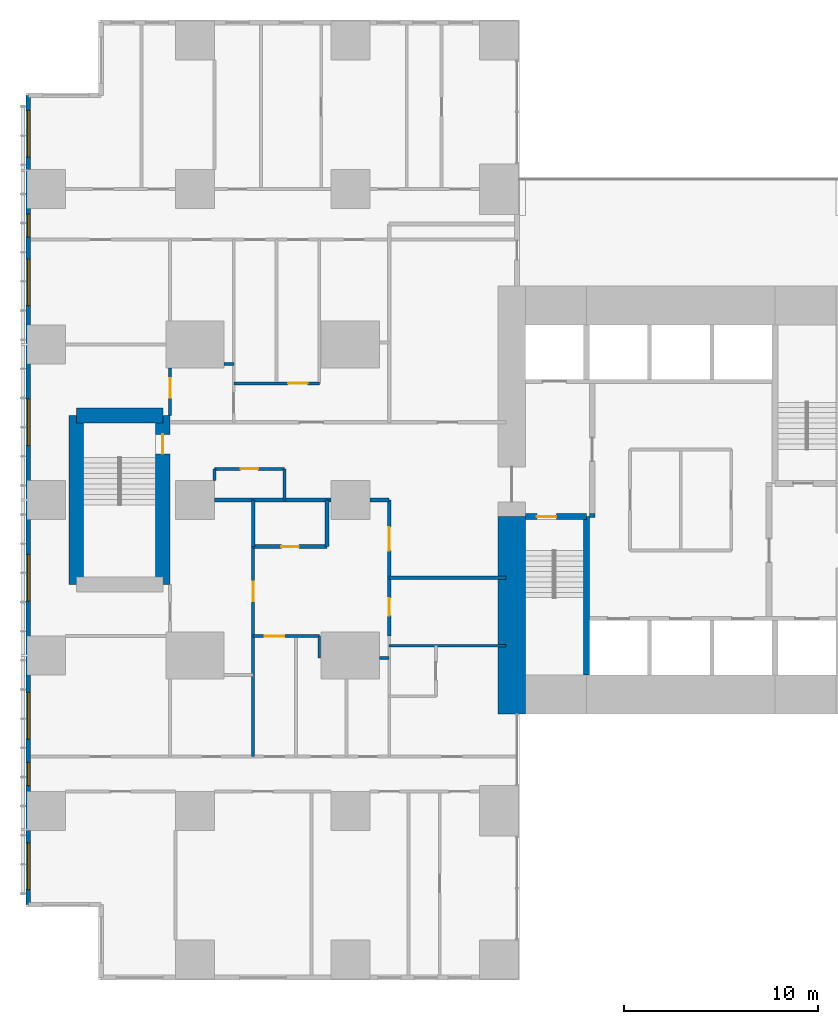
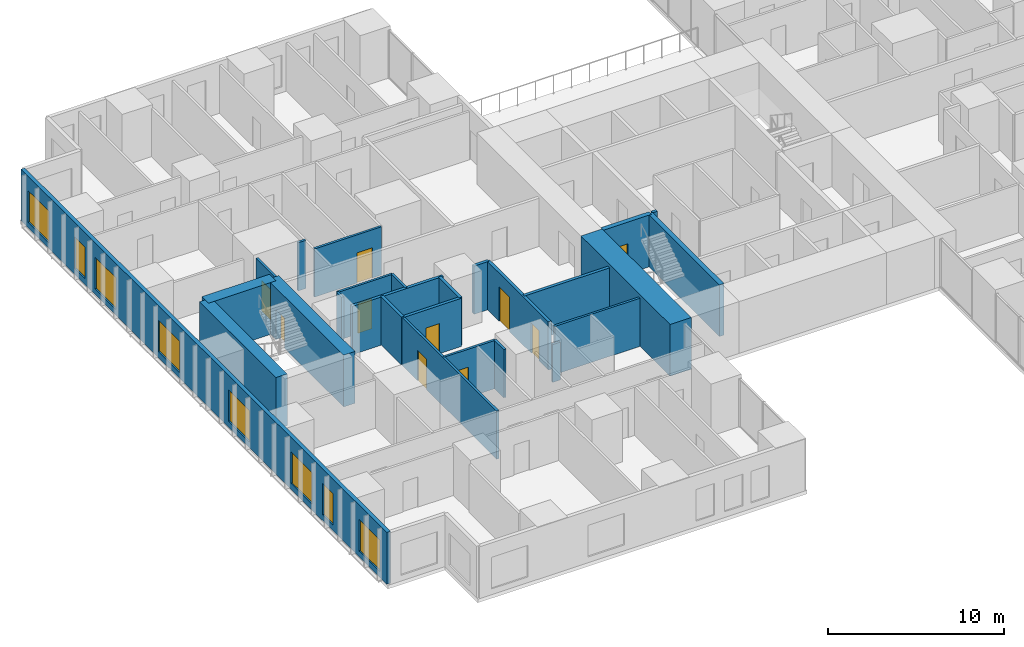
# One storey, part 13 of 20: 26 walls, 10 doors, 8 windows, 18 openings.
"""IFC4 building model written with IfcOpenShell, lengths in metres."""

from ifc_helpers import new_model, si_unit, direction, frame, frame_2d, origin, place, context, subcontext, project, spatial, rectangle, extrude, material, layer, layer_set, type_object, element, fill, save


model = new_model("IFC4")

# Units and contexts
model_context = context("Model", 3, precision=1e-05, world=origin(), true_north=direction((0.0, 1.0)))
body_context = subcontext(model_context, "Body", "Model", "MODEL_VIEW")
ifc_project = project(units=[si_unit("LENGTHUNIT", "METRE"), si_unit("AREAUNIT", "SQUARE_METRE"), si_unit("VOLUMEUNIT", "CUBIC_METRE"), si_unit("PLANEANGLEUNIT", "RADIAN"), si_unit("MASSUNIT", "GRAM", prefix="KILO")], contexts=[model_context])

# Site, building, storey
site_placement = place(None, origin())
site = spatial("IfcSite", under=ifc_project, at=site_placement, CompositionType="ELEMENT")
building_placement = place(site_placement, origin())
building = spatial("IfcBuilding", under=site, at=building_placement, Name="Cleftline Residences", CompositionType="ELEMENT")
storey_placement = place(building_placement, frame((0.0, 0.0, 96.199951171875)))
storey = spatial("IfcBuildingStorey", under=building, at=storey_placement, Name="L24", CompositionType="ELEMENT", Elevation=96.199951171875)

# Walls
ifc_material_1 = material(Name="Concrete B70", Category="concrete")
ifc_layer_1 = layer(ifc_material_1, 1.39990234375)
ifc_layer_set_1 = layer_set([ifc_layer_1], Name="CORE WALL 1400")
wall_type_1 = type_object("IfcWallType", Name="CORE WALL 1400", PredefinedType="SHEAR", material=ifc_layer_set_1)
wall_1_placement = place(storey_placement, frame((24.300048828125, 13.0, 0.0), z_axis=(0.0, 0.0, 1.0), x_axis=(0.0, 1.0, 0.0)))
element("IfcWall", 1, at=wall_1_placement, inside=storey, type_object=wall_type_1, Name="Core wall W0", PredefinedType="SHEAR", context=body_context, shape_type="SweptSolid", body=[
    extrude(rectangle(XDim=10.14990234375, YDim=1.39990234375, at=frame_2d((5.074951171875, 0.0))), origin(), (0.0, 0.0, 1.0), 3.60009765625),
])
ifc_material_2 = material(Name="Concrete B70", Category="concrete")
ifc_layer_2 = layer(ifc_material_2, 0.300048828125)
ifc_layer_set_2 = layer_set([ifc_layer_2], Name="CORE WALL 300")
wall_type_2 = type_object("IfcWallType", Name="CORE WALL 300", PredefinedType="SHEAR", material=ifc_layer_set_2)
wall_2_placement = place(storey_placement, frame((28.14990234375, 15.0, 0.0), z_axis=(0.0, 0.0, 1.0), x_axis=(0.0, 1.0, 0.0)))
element("IfcWall", 2, at=wall_2_placement, inside=storey, type_object=wall_type_2, Name="Core wall SA-E", PredefinedType="SHEAR", context=body_context, shape_type="SweptSolid", body=[
    extrude(rectangle(XDim=8.14990234375, YDim=0.300048828125, at=frame_2d((4.074951171875, 0.0))), origin(), (0.0, 0.0, 1.0), 3.60009765625),
])

# Wall, opening, door
wall_3_placement = place(storey_placement, frame((25.0, 23.14990234375, 0.0), z_axis=(0.0, 0.0, 1.0), x_axis=(1.0, 0.0, 0.0)))
wall_3 = element("IfcWall", 3, at=wall_3_placement, inside=storey, type_object=wall_type_2, Name="Core wall SA-N", PredefinedType="SHEAR", context=body_context, shape_type="SweptSolid", body=[
    extrude(rectangle(XDim=3.14990234375, YDim=0.300048828125, at=frame_2d((1.574951171875, 0.0))), origin(), (0.0, 0.0, 1.0), 3.60009765625),
])
opening_1_placement = place(wall_3_placement, frame((0.60009765625, 0.0, 0.0)))
opening_1 = element("IfcOpeningElement", 4, at=opening_1_placement, cuts=wall_3, Name="Opening D5", PredefinedType="OPENING", context=body_context, shape_type="SweptSolid", body=[
    extrude(rectangle(XDim=1.0, YDim=2.10009765625, at=frame_2d((0.5, 1.050048828125))), frame((0.0, 0.159912109375, 0.0), z_axis=(0.0, -1.0, 0.0), x_axis=(1.0, 0.0, 0.0)), (0.0, 0.0, 1.0), 0.320068359375),
])
ifc_material_3 = material(Name="Steel", Category="steel")
door_type_1 = type_object("IfcDoorType", Name="STAIR DOOR 1000X2100", OperationType="SINGLE_SWING_LEFT", PredefinedType="DOOR", material=ifc_material_3)
door_1_placement = place(opening_1_placement, origin())
door_1 = element("IfcDoor", 5, at=door_1_placement, inside=storey, type_object=door_type_1, Name="Stair A door", OperationType="SINGLE_SWING_RIGHT", OverallHeight=2.10009765625, OverallWidth=1.0, PredefinedType="DOOR", context=body_context, shape_type="SweptSolid", body=[
    extrude(rectangle(XDim=1.0, YDim=2.10009765625, at=frame_2d((0.5, 1.050048828125))), frame((0.0, 0.02490234375, 0.0), z_axis=(0.0, -1.0, 0.0), x_axis=(1.0, 0.0, 0.0)), (0.0, 0.0, 1.0), 0.050048828125),
])
fill(opening_1, door_1)

# Wall, openings, windows
ifc_material_4 = material(Name="Rendered reinforced concrete blockwork", Category="masonry")
ifc_layer_3 = layer(ifc_material_4, 0.25)
ifc_layer_set_3 = layer_set([ifc_layer_3], Name="EXTERNAL WALL 250")
wall_type_3 = type_object("IfcWallType", Name="EXTERNAL WALL 250", PredefinedType="SOLIDWALL", material=ifc_layer_set_3)
wall_4_placement = place(storey_placement, frame((-0.574951171875, 44.824951171875, 0.0), z_axis=(0.0, 0.0, 1.0), x_axis=(0.0, -1.0, 0.0)))
wall_4 = element("IfcWall", 6, at=wall_4_placement, inside=storey, type_object=wall_type_3, Name="External wall", PredefinedType="SOLIDWALL", context=body_context, shape_type="SweptSolid", body=[
    extrude(rectangle(XDim=41.64990234375, YDim=0.25, at=frame_2d((20.824951171875, 0.0))), origin(), (0.0, 0.0, 1.0), 3.60009765625),
])
opening_2_placement = place(wall_4_placement, frame((0.77490234375, 0.0, 0.39990234375)))
opening_2 = element("IfcOpeningElement", 7, at=opening_2_placement, cuts=wall_4, Name="Opening W12", PredefinedType="OPENING", context=body_context, shape_type="SweptSolid", body=[
    extrude(rectangle(XDim=2.39990234375, YDim=2.199951171875, at=frame_2d((1.199951171875, 1.10009765625))), frame((0.0, 0.135009765625, 0.0), z_axis=(0.0, -1.0, 0.0), x_axis=(1.0, 0.0, 0.0)), (0.0, 0.0, 1.0), 0.27001953125),
])
opening_3_placement = place(wall_4_placement, frame((6.10009765625, 0.0, 0.39990234375)))
opening_3 = element("IfcOpeningElement", 8, at=opening_3_placement, cuts=wall_4, Name="Opening W11", PredefinedType="OPENING", context=body_context, shape_type="SweptSolid", body=[
    extrude(rectangle(XDim=1.199951171875, YDim=2.199951171875, at=frame_2d((0.60009765625, 1.10009765625))), frame((0.0, 0.135009765625, 0.0), z_axis=(0.0, -1.0, 0.0), x_axis=(1.0, 0.0, 0.0)), (0.0, 0.0, 1.0), 0.27001953125),
])
opening_4_placement = place(wall_4_placement, frame((8.425048828125, 0.0, 0.39990234375)))
opening_4 = element("IfcOpeningElement", 9, at=opening_4_placement, cuts=wall_4, Name="Opening W12", PredefinedType="OPENING", context=body_context, shape_type="SweptSolid", body=[
    extrude(rectangle(XDim=2.39990234375, YDim=2.199951171875, at=frame_2d((1.199951171875, 1.10009765625))), frame((0.0, 0.135009765625, 0.0), z_axis=(0.0, -1.0, 0.0), x_axis=(1.0, 0.0, 0.0)), (0.0, 0.0, 1.0), 0.27001953125),
])
opening_5_placement = place(wall_4_placement, frame((15.625, 0.0, 0.39990234375)))
opening_5 = element("IfcOpeningElement", 10, at=opening_5_placement, cuts=wall_4, Name="Opening W12", PredefinedType="OPENING", context=body_context, shape_type="SweptSolid", body=[
    extrude(rectangle(XDim=2.39990234375, YDim=2.199951171875, at=frame_2d((1.199951171875, 1.10009765625))), frame((0.0, 0.135009765625, 0.0), z_axis=(0.0, -1.0, 0.0), x_axis=(1.0, 0.0, 0.0)), (0.0, 0.0, 1.0), 0.27001953125),
])
opening_6_placement = place(wall_4_placement, frame((23.625, 0.0, 0.39990234375)))
opening_6 = element("IfcOpeningElement", 11, at=opening_6_placement, cuts=wall_4, Name="Opening W12", PredefinedType="OPENING", context=body_context, shape_type="SweptSolid", body=[
    extrude(rectangle(XDim=2.39990234375, YDim=2.199951171875, at=frame_2d((1.199951171875, 1.10009765625))), frame((0.0, 0.135009765625, 0.0), z_axis=(0.0, -1.0, 0.0), x_axis=(1.0, 0.0, 0.0)), (0.0, 0.0, 1.0), 0.27001953125),
])
opening_7_placement = place(wall_4_placement, frame((30.72509765625, 0.0, 0.39990234375)))
opening_7 = element("IfcOpeningElement", 12, at=opening_7_placement, cuts=wall_4, Name="Opening W12", PredefinedType="OPENING", context=body_context, shape_type="SweptSolid", body=[
    extrude(rectangle(XDim=2.39990234375, YDim=2.199951171875, at=frame_2d((1.199951171875, 1.10009765625))), frame((0.0, 0.135009765625, 0.0), z_axis=(0.0, -1.0, 0.0), x_axis=(1.0, 0.0, 0.0)), (0.0, 0.0, 1.0), 0.27001953125),
])
opening_8_placement = place(wall_4_placement, frame((34.324951171875, 0.0, 0.39990234375)))
opening_8 = element("IfcOpeningElement", 13, at=opening_8_placement, cuts=wall_4, Name="Opening W11", PredefinedType="OPENING", context=body_context, shape_type="SweptSolid", body=[
    extrude(rectangle(XDim=1.199951171875, YDim=2.199951171875, at=frame_2d((0.60009765625, 1.10009765625))), frame((0.0, 0.135009765625, 0.0), z_axis=(0.0, -1.0, 0.0), x_axis=(1.0, 0.0, 0.0)), (0.0, 0.0, 1.0), 0.27001953125),
])
opening_9_placement = place(wall_4_placement, frame((38.47509765625, 0.0, 0.39990234375)))
opening_9 = element("IfcOpeningElement", 14, at=opening_9_placement, cuts=wall_4, Name="Opening W12", PredefinedType="OPENING", context=body_context, shape_type="SweptSolid", body=[
    extrude(rectangle(XDim=2.39990234375, YDim=2.199951171875, at=frame_2d((1.199951171875, 1.10009765625))), frame((0.0, 0.135009765625, 0.0), z_axis=(0.0, -1.0, 0.0), x_axis=(1.0, 0.0, 0.0)), (0.0, 0.0, 1.0), 0.27001953125),
])
ifc_material_5 = material(Name="Aluminium frame, clear double glazing", Category="aluminium")
window_type_1 = type_object("IfcWindowType", Name="WINDOW 1200X2200", PartitioningType="DOUBLE_PANEL_VERTICAL", PredefinedType="WINDOW", material=ifc_material_5)
window_1_placement = place(opening_3_placement, origin())
window_1 = element("IfcWindow", 15, at=window_1_placement, inside=storey, type_object=window_type_1, Name="Window", OverallHeight=2.199951171875, OverallWidth=1.199951171875, PartitioningType="SINGLE_PANEL", PredefinedType="WINDOW", context=body_context, shape_type="SweptSolid", body=[
    extrude(rectangle(XDim=1.199951171875, YDim=2.199951171875, at=frame_2d((0.60009765625, 1.10009765625))), frame((0.0, 0.030029296875, 0.0), z_axis=(0.0, -1.0, 0.0), x_axis=(1.0, 0.0, 0.0)), (0.0, 0.0, 1.0), 0.06005859375),
])
fill(opening_3, window_1)
window_2_placement = place(opening_8_placement, origin())
window_2 = element("IfcWindow", 16, at=window_2_placement, inside=storey, type_object=window_type_1, Name="Window", OverallHeight=2.199951171875, OverallWidth=1.199951171875, PartitioningType="SINGLE_PANEL", PredefinedType="WINDOW", context=body_context, shape_type="SweptSolid", body=[
    extrude(rectangle(XDim=1.199951171875, YDim=2.199951171875, at=frame_2d((0.60009765625, 1.10009765625))), frame((0.0, 0.030029296875, 0.0), z_axis=(0.0, -1.0, 0.0), x_axis=(1.0, 0.0, 0.0)), (0.0, 0.0, 1.0), 0.06005859375),
])
fill(opening_8, window_2)
ifc_material_6 = material(Name="Aluminium frame, clear double glazing", Category="aluminium")
window_type_2 = type_object("IfcWindowType", Name="WINDOW 2400X2200", PartitioningType="DOUBLE_PANEL_VERTICAL", PredefinedType="WINDOW", material=ifc_material_6)
window_3_placement = place(opening_2_placement, origin())
window_3 = element("IfcWindow", 17, at=window_3_placement, inside=storey, type_object=window_type_2, Name="Window", OverallHeight=2.199951171875, OverallWidth=2.39990234375, PartitioningType="SINGLE_PANEL", PredefinedType="WINDOW", context=body_context, shape_type="SweptSolid", body=[
    extrude(rectangle(XDim=2.39990234375, YDim=2.199951171875, at=frame_2d((1.199951171875, 1.10009765625))), frame((0.0, 0.030029296875, 0.0), z_axis=(0.0, -1.0, 0.0), x_axis=(1.0, 0.0, 0.0)), (0.0, 0.0, 1.0), 0.06005859375),
])
fill(opening_2, window_3)
window_4_placement = place(opening_4_placement, origin())
window_4 = element("IfcWindow", 18, at=window_4_placement, inside=storey, type_object=window_type_2, Name="Window", OverallHeight=2.199951171875, OverallWidth=2.39990234375, PartitioningType="SINGLE_PANEL", PredefinedType="WINDOW", context=body_context, shape_type="SweptSolid", body=[
    extrude(rectangle(XDim=2.39990234375, YDim=2.199951171875, at=frame_2d((1.199951171875, 1.10009765625))), frame((0.0, 0.030029296875, 0.0), z_axis=(0.0, -1.0, 0.0), x_axis=(1.0, 0.0, 0.0)), (0.0, 0.0, 1.0), 0.06005859375),
])
fill(opening_4, window_4)
window_5_placement = place(opening_5_placement, origin())
window_5 = element("IfcWindow", 19, at=window_5_placement, inside=storey, type_object=window_type_2, Name="Window", OverallHeight=2.199951171875, OverallWidth=2.39990234375, PartitioningType="SINGLE_PANEL", PredefinedType="WINDOW", context=body_context, shape_type="SweptSolid", body=[
    extrude(rectangle(XDim=2.39990234375, YDim=2.199951171875, at=frame_2d((1.199951171875, 1.10009765625))), frame((0.0, 0.030029296875, 0.0), z_axis=(0.0, -1.0, 0.0), x_axis=(1.0, 0.0, 0.0)), (0.0, 0.0, 1.0), 0.06005859375),
])
fill(opening_5, window_5)
window_6_placement = place(opening_6_placement, origin())
window_6 = element("IfcWindow", 20, at=window_6_placement, inside=storey, type_object=window_type_2, Name="Window", OverallHeight=2.199951171875, OverallWidth=2.39990234375, PartitioningType="SINGLE_PANEL", PredefinedType="WINDOW", context=body_context, shape_type="SweptSolid", body=[
    extrude(rectangle(XDim=2.39990234375, YDim=2.199951171875, at=frame_2d((1.199951171875, 1.10009765625))), frame((0.0, 0.030029296875, 0.0), z_axis=(0.0, -1.0, 0.0), x_axis=(1.0, 0.0, 0.0)), (0.0, 0.0, 1.0), 0.06005859375),
])
fill(opening_6, window_6)
window_7_placement = place(opening_7_placement, origin())
window_7 = element("IfcWindow", 21, at=window_7_placement, inside=storey, type_object=window_type_2, Name="Window", OverallHeight=2.199951171875, OverallWidth=2.39990234375, PartitioningType="SINGLE_PANEL", PredefinedType="WINDOW", context=body_context, shape_type="SweptSolid", body=[
    extrude(rectangle(XDim=2.39990234375, YDim=2.199951171875, at=frame_2d((1.199951171875, 1.10009765625))), frame((0.0, 0.030029296875, 0.0), z_axis=(0.0, -1.0, 0.0), x_axis=(1.0, 0.0, 0.0)), (0.0, 0.0, 1.0), 0.06005859375),
])
fill(opening_7, window_7)
window_8_placement = place(opening_9_placement, origin())
window_8 = element("IfcWindow", 22, at=window_8_placement, inside=storey, type_object=window_type_2, Name="Window", OverallHeight=2.199951171875, OverallWidth=2.39990234375, PartitioningType="SINGLE_PANEL", PredefinedType="WINDOW", context=body_context, shape_type="SweptSolid", body=[
    extrude(rectangle(XDim=2.39990234375, YDim=2.199951171875, at=frame_2d((1.199951171875, 1.10009765625))), frame((0.0, 0.030029296875, 0.0), z_axis=(0.0, -1.0, 0.0), x_axis=(1.0, 0.0, 0.0)), (0.0, 0.0, 1.0), 0.06005859375),
])
fill(opening_9, window_8)

# Wall
ifc_material_7 = material(Name="Concrete blockwork, fire rated", Category="masonry")
ifc_layer_4 = layer(ifc_material_7, 0.199951171875)
ifc_layer_set_4 = layer_set([ifc_layer_4], Name="FIRE WALL 200")
wall_type_4 = type_object("IfcWallType", Name="FIRE WALL 200", PredefinedType="PARTITIONING", material=ifc_layer_set_4)
wall_5_placement = place(storey_placement, frame((18.0, 20.0, 0.0), z_axis=(0.0, 0.0, 1.0), x_axis=(1.0, 0.0, 0.0)))
element("IfcWall", 23, at=wall_5_placement, inside=storey, type_object=wall_type_4, Name="Fire separating wall", PredefinedType="PARTITIONING", context=body_context, shape_type="SweptSolid", body=[
    extrude(rectangle(XDim=6.0, YDim=0.199951171875, at=frame_2d((3.0, 0.0))), origin(), (0.0, 0.0, 1.0), 3.35009765625),
])

# Wall, opening, door
wall_6_placement = place(storey_placement, frame((11.0, 21.60009765625, 0.0), z_axis=(0.0, 0.0, 1.0), x_axis=(1.0, 0.0, 0.0)))
wall_6 = element("IfcWall", 24, at=wall_6_placement, inside=storey, type_object=wall_type_4, Name="Fire separating wall", PredefinedType="PARTITIONING", context=body_context, shape_type="SweptSolid", body=[
    extrude(rectangle(XDim=3.800048828125, YDim=0.199951171875, at=frame_2d((1.89990234375, 0.0))), origin(), (0.0, 0.0, 1.0), 3.35009765625),
])
opening_10_placement = place(wall_6_placement, frame((1.449951171875, 0.0, 0.0)))
opening_10 = element("IfcOpeningElement", 25, at=opening_10_placement, cuts=wall_6, Name="Opening D1F30", PredefinedType="OPENING", context=body_context, shape_type="SweptSolid", body=[
    extrude(rectangle(XDim=0.89990234375, YDim=2.10009765625, at=frame_2d((0.449951171875, 1.050048828125))), frame((0.0, 0.10986328125, 0.0), z_axis=(0.0, -1.0, 0.0), x_axis=(1.0, 0.0, 0.0)), (0.0, 0.0, 1.0), 0.219970703125),
])
ifc_material_8 = material(Name="Timber veneer on solid core", Category="wood")
door_type_2 = type_object("IfcDoorType", Name="DOOR 900X2100 EI 30", OperationType="SINGLE_SWING_LEFT", PredefinedType="DOOR", material=ifc_material_8)
door_2_placement = place(opening_10_placement, origin())
door_2 = element("IfcDoor", 26, at=door_2_placement, inside=storey, type_object=door_type_2, Name="Door to cloakroom wc", OperationType="SINGLE_SWING_LEFT", OverallHeight=2.10009765625, OverallWidth=0.89990234375, PredefinedType="DOOR", context=body_context, shape_type="SweptSolid", body=[
    extrude(rectangle(XDim=0.89990234375, YDim=2.10009765625, at=frame_2d((0.449951171875, 1.050048828125))), frame((0.0, 0.02490234375, 0.0), z_axis=(0.0, -1.0, 0.0), x_axis=(1.0, 0.0, 0.0)), (0.0, 0.0, 1.0), 0.050048828125),
])
fill(opening_10, door_2)

# Walls
wall_7_placement = place(storey_placement, frame((9.0, 24.0, 0.0), z_axis=(0.0, 0.0, 1.0), x_axis=(1.0, 0.0, 0.0)))
element("IfcWall", 27, at=wall_7_placement, inside=storey, type_object=wall_type_4, Name="Fire separating wall", PredefinedType="PARTITIONING", context=body_context, shape_type="SweptSolid", body=[
    extrude(rectangle(XDim=6.0, YDim=0.199951171875, at=frame_2d((3.0, 0.0))), origin(), (0.0, 0.0, 1.0), 3.35009765625),
])
wall_8_placement = place(storey_placement, frame((17.0, 24.0, 0.0), z_axis=(0.0, 0.0, 1.0), x_axis=(1.0, 0.0, 0.0)))
element("IfcWall", 28, at=wall_8_placement, inside=storey, type_object=wall_type_4, Name="Fire separating wall", PredefinedType="PARTITIONING", context=body_context, shape_type="SweptSolid", body=[
    extrude(rectangle(XDim=1.0, YDim=0.199951171875, at=frame_2d((0.5, 0.0))), origin(), (0.0, 0.0, 1.0), 3.35009765625),
])
for number, where, z_axis, x_axis, name in (
    (29, (11.0, 21.60009765625, 0.0), (0.0, 0.0, 1.0), (0.0, 1.0, 0.0), "Fire separating wall"),
    (30, (14.800048828125, 21.60009765625, 0.0), (0.0, 0.0, 1.0), (0.0, 1.0, 0.0), "Fire separating wall"),
):
    element("IfcWall", number, at=place(storey_placement, frame(where, z_axis=z_axis, x_axis=x_axis)), inside=storey, type_object=wall_type_4, Name=name, PredefinedType="PARTITIONING", context=body_context, shape_type="SweptSolid", body=[
        extrude(rectangle(XDim=2.39990234375, YDim=0.199951171875, at=frame_2d((1.199951171875, 0.0))), origin(), (0.0, 0.0, 1.0), 3.35009765625),
    ])

# Wall, openings, doors
wall_9_placement = place(storey_placement, frame((18.0, 17.0, 0.0), z_axis=(0.0, 0.0, 1.0), x_axis=(0.0, 1.0, 0.0)))
wall_9 = element("IfcWall", 31, at=wall_9_placement, inside=storey, type_object=wall_type_4, Name="Fire separating wall", PredefinedType="PARTITIONING", context=body_context, shape_type="SweptSolid", body=[
    extrude(rectangle(XDim=7.0, YDim=0.199951171875, at=frame_2d((3.5, 0.0))), origin(), (0.0, 0.0, 1.0), 3.35009765625),
])
opening_11_placement = place(wall_9_placement, frame((4.39990234375, 0.0, 0.0)))
opening_11 = element("IfcOpeningElement", 32, at=opening_11_placement, cuts=wall_9, Name="Opening D4", PredefinedType="OPENING", context=body_context, shape_type="SweptSolid", body=[
    extrude(rectangle(XDim=1.199951171875, YDim=2.39990234375, at=frame_2d((0.60009765625, 1.199951171875))), frame((0.0, 0.10986328125, 0.0), z_axis=(0.0, -1.0, 0.0), x_axis=(1.0, 0.0, 0.0)), (0.0, 0.0, 1.0), 0.219970703125),
])
opening_12_placement = place(wall_9_placement, frame((1.050048828125, 0.0, 0.0)))
opening_12 = element("IfcOpeningElement", 33, at=opening_12_placement, cuts=wall_9, Name="Opening D1F30", PredefinedType="OPENING", context=body_context, shape_type="SweptSolid", body=[
    extrude(rectangle(XDim=0.89990234375, YDim=2.10009765625, at=frame_2d((0.449951171875, 1.050048828125))), frame((0.0, 0.10986328125, 0.0), z_axis=(0.0, -1.0, 0.0), x_axis=(1.0, 0.0, 0.0)), (0.0, 0.0, 1.0), 0.219970703125),
])
ifc_material_9 = material(Name="Timber veneer on solid core", Category="wood")
door_type_3 = type_object("IfcDoorType", Name="APARTMENT ENTRANCE DOOR 1200X2400", OperationType="SINGLE_SWING_RIGHT", PredefinedType="DOOR", material=ifc_material_9)
door_3_placement = place(opening_11_placement, origin())
door_3 = element("IfcDoor", 34, at=door_3_placement, inside=storey, type_object=door_type_3, Name="Door to residence entrance foyer", OperationType="SINGLE_SWING_LEFT", OverallHeight=2.39990234375, OverallWidth=1.199951171875, PredefinedType="DOOR", context=body_context, shape_type="SweptSolid", body=[
    extrude(rectangle(XDim=1.199951171875, YDim=2.39990234375, at=frame_2d((0.60009765625, 1.199951171875))), frame((0.0, 0.02490234375, 0.0), z_axis=(0.0, -1.0, 0.0), x_axis=(1.0, 0.0, 0.0)), (0.0, 0.0, 1.0), 0.050048828125),
])
fill(opening_11, door_3)
door_4_placement = place(opening_12_placement, origin())
door_4 = element("IfcDoor", 35, at=door_4_placement, inside=storey, type_object=door_type_2, Name="Door to laundry", OperationType="SINGLE_SWING_RIGHT", OverallHeight=2.10009765625, OverallWidth=0.89990234375, PredefinedType="DOOR", context=body_context, shape_type="SweptSolid", body=[
    extrude(rectangle(XDim=0.89990234375, YDim=2.10009765625, at=frame_2d((0.449951171875, 1.050048828125))), frame((0.0, 0.02490234375, 0.0), z_axis=(0.0, -1.0, 0.0), x_axis=(1.0, 0.0, 0.0)), (0.0, 0.0, 1.0), 0.050048828125),
])
fill(opening_12, door_4)

# Walls
wall_10_placement = place(storey_placement, frame((28.300048828125, 23.199951171875, 0.0), z_axis=(0.0, 0.0, 1.0), x_axis=(1.0, 0.0, 0.0)))
element("IfcWall", 36, at=wall_10_placement, inside=storey, type_object=wall_type_4, Name="Fire separating wall", PredefinedType="PARTITIONING", context=body_context, shape_type="SweptSolid", body=[
    extrude(rectangle(XDim=0.300048828125, YDim=0.199951171875, at=frame_2d((0.14990234375, 0.0))), origin(), (0.0, 0.0, 1.0), 3.60009765625),
])
ifc_material_10 = material(Name="Gypsum board on steel studs", Category="steel")
ifc_layer_5 = layer(ifc_material_10, 0.14990234375)
ifc_layer_set_5 = layer_set([ifc_layer_5], Name="PARTITION 150")
wall_type_5 = type_object("IfcWallType", Name="PARTITION 150", PredefinedType="PARTITIONING", material=ifc_layer_set_5)
wall_11_placement = place(storey_placement, frame((17.5, 15.875, 0.0), z_axis=(0.0, 0.0, 1.0), x_axis=(1.0, 0.0, 0.0)))
element("IfcWall", 37, at=wall_11_placement, inside=storey, type_object=wall_type_5, Name="Partition", PredefinedType="PARTITIONING", context=body_context, shape_type="SweptSolid", body=[
    extrude(rectangle(XDim=0.5, YDim=0.14990234375, at=frame_2d((0.25, 0.0))), origin(), (0.0, 0.0, 1.0), 2.634033203125),
])
wall_12_placement = place(storey_placement, frame((18.0, 16.5, 0.0), z_axis=(0.0, 0.0, 1.0), x_axis=(1.0, 0.0, 0.0)))
element("IfcWall", 38, at=wall_12_placement, inside=storey, type_object=wall_type_5, Name="Partition", PredefinedType="PARTITIONING", context=body_context, shape_type="SweptSolid", body=[
    extrude(rectangle(XDim=6.0, YDim=0.14990234375, at=frame_2d((3.0, 0.0))), origin(), (0.0, 0.0, 1.0), 3.35009765625),
])

# Wall, opening, door
wall_13_placement = place(storey_placement, frame((11.0, 17.0, 0.0), z_axis=(0.0, 0.0, 1.0), x_axis=(1.0, 0.0, 0.0)))
wall_13 = element("IfcWall", 39, at=wall_13_placement, inside=storey, type_object=wall_type_5, Name="Partition", PredefinedType="PARTITIONING", context=body_context, shape_type="SweptSolid", body=[
    extrude(rectangle(XDim=3.39990234375, YDim=0.14990234375, at=frame_2d((1.699951171875, 0.0))), origin(), (0.0, 0.0, 1.0), 3.35009765625),
])
opening_13_placement = place(wall_13_placement, frame((0.60009765625, 0.0, 0.0)))
opening_13 = element("IfcOpeningElement", 40, at=opening_13_placement, cuts=wall_13, Name="Opening D2", PredefinedType="OPENING", context=body_context, shape_type="SweptSolid", body=[
    extrude(rectangle(XDim=1.0, YDim=2.10009765625, at=frame_2d((0.5, 1.050048828125))), frame((0.0, 0.0849609375, 0.0), z_axis=(0.0, -1.0, 0.0), x_axis=(1.0, 0.0, 0.0)), (0.0, 0.0, 1.0), 0.169921875),
])
ifc_material_11 = material(Name="Timber veneer on solid core", Category="wood")
door_type_4 = type_object("IfcDoorType", Name="DOOR 1000X2100", OperationType="SINGLE_SWING_LEFT", PredefinedType="DOOR", material=ifc_material_11)
door_5_placement = place(opening_13_placement, origin())
door_5 = element("IfcDoor", 41, at=door_5_placement, inside=storey, type_object=door_type_4, Name="Door to residence passage", OperationType="SINGLE_SWING_RIGHT", OverallHeight=2.10009765625, OverallWidth=1.0, PredefinedType="DOOR", context=body_context, shape_type="SweptSolid", body=[
    extrude(rectangle(XDim=1.0, YDim=2.10009765625, at=frame_2d((0.5, 1.050048828125))), frame((0.0, 0.02490234375, 0.0), z_axis=(0.0, -1.0, 0.0), x_axis=(1.0, 0.0, 0.0)), (0.0, 0.0, 1.0), 0.050048828125),
])
fill(opening_13, door_5)

wall_14_placement = place(storey_placement, frame((9.0, 25.60009765625, 0.0), z_axis=(0.0, 0.0, 1.0), x_axis=(1.0, 0.0, 0.0)))
wall_14 = element("IfcWall", 42, at=wall_14_placement, inside=storey, type_object=wall_type_5, Name="Partition", PredefinedType="PARTITIONING", context=body_context, shape_type="SweptSolid", body=[
    extrude(rectangle(XDim=3.60009765625, YDim=0.14990234375, at=frame_2d((1.800048828125, 0.0))), origin(), (0.0, 0.0, 1.0), 3.35009765625),
])
opening_14_placement = place(wall_14_placement, frame((1.35009765625, 0.0, 0.0)))
opening_14 = element("IfcOpeningElement", 43, at=opening_14_placement, cuts=wall_14, Name="Opening D1", PredefinedType="OPENING", context=body_context, shape_type="SweptSolid", body=[
    extrude(rectangle(XDim=0.89990234375, YDim=2.10009765625, at=frame_2d((0.449951171875, 1.050048828125))), frame((0.0, 0.0849609375, 0.0), z_axis=(0.0, -1.0, 0.0), x_axis=(1.0, 0.0, 0.0)), (0.0, 0.0, 1.0), 0.169921875),
])
ifc_material_12 = material(Name="Timber veneer on solid core", Category="wood")
door_type_5 = type_object("IfcDoorType", Name="DOOR 900X2100", OperationType="SINGLE_SWING_LEFT", PredefinedType="DOOR", material=ifc_material_12)
door_6_placement = place(opening_14_placement, origin())
door_6 = element("IfcDoor", 44, at=door_6_placement, inside=storey, type_object=door_type_5, Name="Door to residents' storage room", OperationType="SINGLE_SWING_LEFT", OverallHeight=2.10009765625, OverallWidth=0.89990234375, PredefinedType="DOOR", context=body_context, shape_type="SweptSolid", body=[
    extrude(rectangle(XDim=0.89990234375, YDim=2.10009765625, at=frame_2d((0.449951171875, 1.050048828125))), frame((0.0, 0.02490234375, 0.0), z_axis=(0.0, -1.0, 0.0), x_axis=(1.0, 0.0, 0.0)), (0.0, 0.0, 1.0), 0.050048828125),
])
fill(opening_14, door_6)

wall_15_placement = place(storey_placement, frame((10.0, 30.0, 0.0), z_axis=(0.0, 0.0, 1.0), x_axis=(1.0, 0.0, 0.0)))
wall_15 = element("IfcWall", 45, at=wall_15_placement, inside=storey, type_object=wall_type_5, Name="Partition", PredefinedType="PARTITIONING", context=body_context, shape_type="SweptSolid", body=[
    extrude(rectangle(XDim=4.39990234375, YDim=0.14990234375, at=frame_2d((2.199951171875, 0.0))), origin(), (0.0, 0.0, 1.0), 3.35009765625),
])
opening_15_placement = place(wall_15_placement, frame((2.800048828125, 0.0, 0.0)))
opening_15 = element("IfcOpeningElement", 46, at=opening_15_placement, cuts=wall_15, Name="Opening D2", PredefinedType="OPENING", context=body_context, shape_type="SweptSolid", body=[
    extrude(rectangle(XDim=1.0, YDim=2.10009765625, at=frame_2d((0.5, 1.050048828125))), frame((0.0, 0.0849609375, 0.0), z_axis=(0.0, -1.0, 0.0), x_axis=(1.0, 0.0, 0.0)), (0.0, 0.0, 1.0), 0.169921875),
])
door_7_placement = place(opening_15_placement, origin())
door_7 = element("IfcDoor", 47, at=door_7_placement, inside=storey, type_object=door_type_4, Name="Door to residence passage", OperationType="SINGLE_SWING_LEFT", OverallHeight=2.10009765625, OverallWidth=1.0, PredefinedType="DOOR", context=body_context, shape_type="SweptSolid", body=[
    extrude(rectangle(XDim=1.0, YDim=2.10009765625, at=frame_2d((0.5, 1.050048828125))), frame((0.0, 0.02490234375, 0.0), z_axis=(0.0, -1.0, 0.0), x_axis=(1.0, 0.0, 0.0)), (0.0, 0.0, 1.0), 0.050048828125),
])
fill(opening_15, door_7)

# Wall
wall_16_placement = place(storey_placement, frame((9.5, 31.0, 0.0), z_axis=(0.0, 0.0, 1.0), x_axis=(1.0, 0.0, 0.0)))
element("IfcWall", 48, at=wall_16_placement, inside=storey, type_object=wall_type_5, Name="Partition", PredefinedType="PARTITIONING", context=body_context, shape_type="SweptSolid", body=[
    extrude(rectangle(XDim=0.5, YDim=0.14990234375, at=frame_2d((0.25, 0.0))), origin(), (0.0, 0.0, 1.0), 3.35009765625),
])

# Wall, opening, door
wall_17_placement = place(storey_placement, frame((6.72509765625, 28.35009765625, 0.0), z_axis=(0.0, 0.0, 1.0), x_axis=(0.0, 1.0, 0.0)))
wall_17 = element("IfcWall", 49, at=wall_17_placement, inside=storey, type_object=wall_type_5, Name="Partition", PredefinedType="PARTITIONING", context=body_context, shape_type="SweptSolid", body=[
    extrude(rectangle(XDim=2.449951171875, YDim=0.14990234375, at=frame_2d((1.22509765625, 0.0))), origin(), (0.0, 0.0, 1.0), 3.35009765625),
])
opening_16_placement = place(wall_17_placement, frame((0.91259765625, 0.0, 0.0)))
opening_16 = element("IfcOpeningElement", 50, at=opening_16_placement, cuts=wall_17, Name="Opening D2", PredefinedType="OPENING", context=body_context, shape_type="SweptSolid", body=[
    extrude(rectangle(XDim=1.0, YDim=2.10009765625, at=frame_2d((0.5, 1.050048828125))), frame((0.0, 0.0849609375, 0.0), z_axis=(0.0, -1.0, 0.0), x_axis=(1.0, 0.0, 0.0)), (0.0, 0.0, 1.0), 0.169921875),
])
door_8_placement = place(opening_16_placement, origin())
door_8 = element("IfcDoor", 51, at=door_8_placement, inside=storey, type_object=door_type_4, Name="Door to staff bedroom", OperationType="SINGLE_SWING_LEFT", OverallHeight=2.10009765625, OverallWidth=1.0, PredefinedType="DOOR", context=body_context, shape_type="SweptSolid", body=[
    extrude(rectangle(XDim=1.0, YDim=2.10009765625, at=frame_2d((0.5, 1.050048828125))), frame((0.0, 0.02490234375, 0.0), z_axis=(0.0, -1.0, 0.0), x_axis=(1.0, 0.0, 0.0)), (0.0, 0.0, 1.0), 0.050048828125),
])
fill(opening_16, door_8)

# Wall
wall_18_placement = place(storey_placement, frame((9.0, 25.0, 0.0), z_axis=(0.0, 0.0, 1.0), x_axis=(0.0, 1.0, 0.0)))
element("IfcWall", 52, at=wall_18_placement, inside=storey, type_object=wall_type_5, Name="Partition", PredefinedType="PARTITIONING", context=body_context, shape_type="SweptSolid", body=[
    extrude(rectangle(XDim=0.60009765625, YDim=0.14990234375, at=frame_2d((0.300048828125, 0.0))), origin(), (0.0, 0.0, 1.0), 3.35009765625),
])

# Wall, opening, door
wall_19_placement = place(storey_placement, frame((11.0, 10.800048828125, 0.0), z_axis=(0.0, 0.0, 1.0), x_axis=(0.0, 1.0, 0.0)))
wall_19 = element("IfcWall", 53, at=wall_19_placement, inside=storey, type_object=wall_type_5, Name="Partition", PredefinedType="PARTITIONING", context=body_context, shape_type="SweptSolid", body=[
    extrude(rectangle(XDim=10.800048828125, YDim=0.14990234375, at=frame_2d((5.39990234375, 0.0))), origin(), (0.0, 0.0, 1.0), 3.35009765625),
])
opening_17_placement = place(wall_19_placement, frame((8.0, 0.0, 0.0)))
opening_17 = element("IfcOpeningElement", 54, at=opening_17_placement, cuts=wall_19, Name="Opening D2F30", PredefinedType="OPENING", context=body_context, shape_type="SweptSolid", body=[
    extrude(rectangle(XDim=1.0, YDim=2.10009765625, at=frame_2d((0.5, 1.050048828125))), frame((0.0, 0.0849609375, 0.0), z_axis=(0.0, -1.0, 0.0), x_axis=(1.0, 0.0, 0.0)), (0.0, 0.0, 1.0), 0.169921875),
])
ifc_material_13 = material(Name="Timber veneer on solid core", Category="wood")
door_type_6 = type_object("IfcDoorType", Name="DOOR 1000X2100 EI 30", OperationType="SINGLE_SWING_LEFT", PredefinedType="DOOR", material=ifc_material_13)
door_9_placement = place(opening_17_placement, origin())
door_9 = element("IfcDoor", 55, at=door_9_placement, inside=storey, type_object=door_type_6, Name="Door to residence lobby", OperationType="SINGLE_SWING_LEFT", OverallHeight=2.10009765625, OverallWidth=1.0, PredefinedType="DOOR", context=body_context, shape_type="SweptSolid", body=[
    extrude(rectangle(XDim=1.0, YDim=2.10009765625, at=frame_2d((0.5, 1.050048828125))), frame((0.0, 0.02490234375, 0.0), z_axis=(0.0, -1.0, 0.0), x_axis=(1.0, 0.0, 0.0)), (0.0, 0.0, 1.0), 0.050048828125),
])
fill(opening_17, door_9)

# Walls
wall_20_placement = place(storey_placement, frame((12.60009765625, 24.0, 0.0), z_axis=(0.0, 0.0, 1.0), x_axis=(0.0, 1.0, 0.0)))
element("IfcWall", 56, at=wall_20_placement, inside=storey, type_object=wall_type_5, Name="Partition", PredefinedType="PARTITIONING", context=body_context, shape_type="SweptSolid", body=[
    extrude(rectangle(XDim=1.60009765625, YDim=0.14990234375, at=frame_2d((0.800048828125, 0.0))), origin(), (0.0, 0.0, 1.0), 3.35009765625),
])
wall_21_placement = place(storey_placement, frame((14.39990234375, 15.875, 0.0), z_axis=(0.0, 0.0, 1.0), x_axis=(0.0, 1.0, 0.0)))
element("IfcWall", 57, at=wall_21_placement, inside=storey, type_object=wall_type_5, Name="Partition", PredefinedType="PARTITIONING", context=body_context, shape_type="SweptSolid", body=[
    extrude(rectangle(XDim=1.125, YDim=0.14990234375, at=frame_2d((0.5625, 0.0))), origin(), (0.0, 0.0, 1.0), 3.35009765625),
])

# Wall, opening, door
ifc_material_14 = material(Name="Concrete B70", Category="concrete")
ifc_layer_6 = layer(ifc_material_14, 0.75)
ifc_layer_set_6 = layer_set([ifc_layer_6], Name="SHEAR WALL 750")
wall_type_6 = type_object("IfcWallType", Name="SHEAR WALL 750", PredefinedType="SHEAR", material=ifc_layer_set_6)
wall_22_placement = place(storey_placement, frame((6.35009765625, 19.64990234375, 0.0), z_axis=(0.0, 0.0, 1.0), x_axis=(0.0, 1.0, 0.0)))
wall_22 = element("IfcWall", 58, at=wall_22_placement, inside=storey, type_object=wall_type_6, Name="Wing shear wall", PredefinedType="SHEAR", context=body_context, shape_type="SweptSolid", body=[
    extrude(rectangle(XDim=8.7001953125, YDim=0.75, at=frame_2d((4.35009765625, 0.0))), origin(), (0.0, 0.0, 1.0), 3.60009765625),
])
opening_18_placement = place(wall_22_placement, frame((6.72509765625, 0.0, 0.0)))
opening_18 = element("IfcOpeningElement", 59, at=opening_18_placement, cuts=wall_22, Name="Opening D5", PredefinedType="OPENING", context=body_context, shape_type="SweptSolid", body=[
    extrude(rectangle(XDim=1.0, YDim=2.10009765625, at=frame_2d((0.5, 1.050048828125))), frame((0.0, 0.385009765625, 0.0), z_axis=(0.0, -1.0, 0.0), x_axis=(1.0, 0.0, 0.0)), (0.0, 0.0, 1.0), 0.77001953125),
])
door_10_placement = place(opening_18_placement, origin())
door_10 = element("IfcDoor", 60, at=door_10_placement, inside=storey, type_object=door_type_1, Name="Stair W door", OperationType="SINGLE_SWING_LEFT", OverallHeight=2.10009765625, OverallWidth=1.0, PredefinedType="DOOR", context=body_context, shape_type="SweptSolid", body=[
    extrude(rectangle(XDim=1.0, YDim=2.10009765625, at=frame_2d((0.5, 1.050048828125))), frame((0.0, 0.02490234375, 0.0), z_axis=(0.0, -1.0, 0.0), x_axis=(1.0, 0.0, 0.0)), (0.0, 0.0, 1.0), 0.050048828125),
])
fill(opening_18, door_10)

# Walls
wall_23_placement = place(storey_placement, frame((6.35009765625, 28.35009765625, 0.0), z_axis=(0.0, 0.0, 1.0), x_axis=(-1.0, 0.0, 0.0)))
element("IfcWall", 61, at=wall_23_placement, inside=storey, type_object=wall_type_6, Name="Wing shear wall", PredefinedType="SHEAR", context=body_context, shape_type="SweptSolid", body=[
    extrude(rectangle(XDim=4.4501953125, YDim=0.75, at=frame_2d((2.22509765625, 0.0))), origin(), (0.0, 0.0, 1.0), 3.60009765625),
])
wall_24_placement = place(storey_placement, frame((1.89990234375, 28.35009765625, 0.0), z_axis=(0.0, 0.0, 1.0), x_axis=(0.0, -1.0, 0.0)))
element("IfcWall", 62, at=wall_24_placement, inside=storey, type_object=wall_type_6, Name="Wing shear wall", PredefinedType="SHEAR", context=body_context, shape_type="SweptSolid", body=[
    extrude(rectangle(XDim=8.7001953125, YDim=0.75, at=frame_2d((4.35009765625, 0.0))), origin(), (0.0, 0.0, 1.0), 3.60009765625),
])

save(model, "model.ifc")
